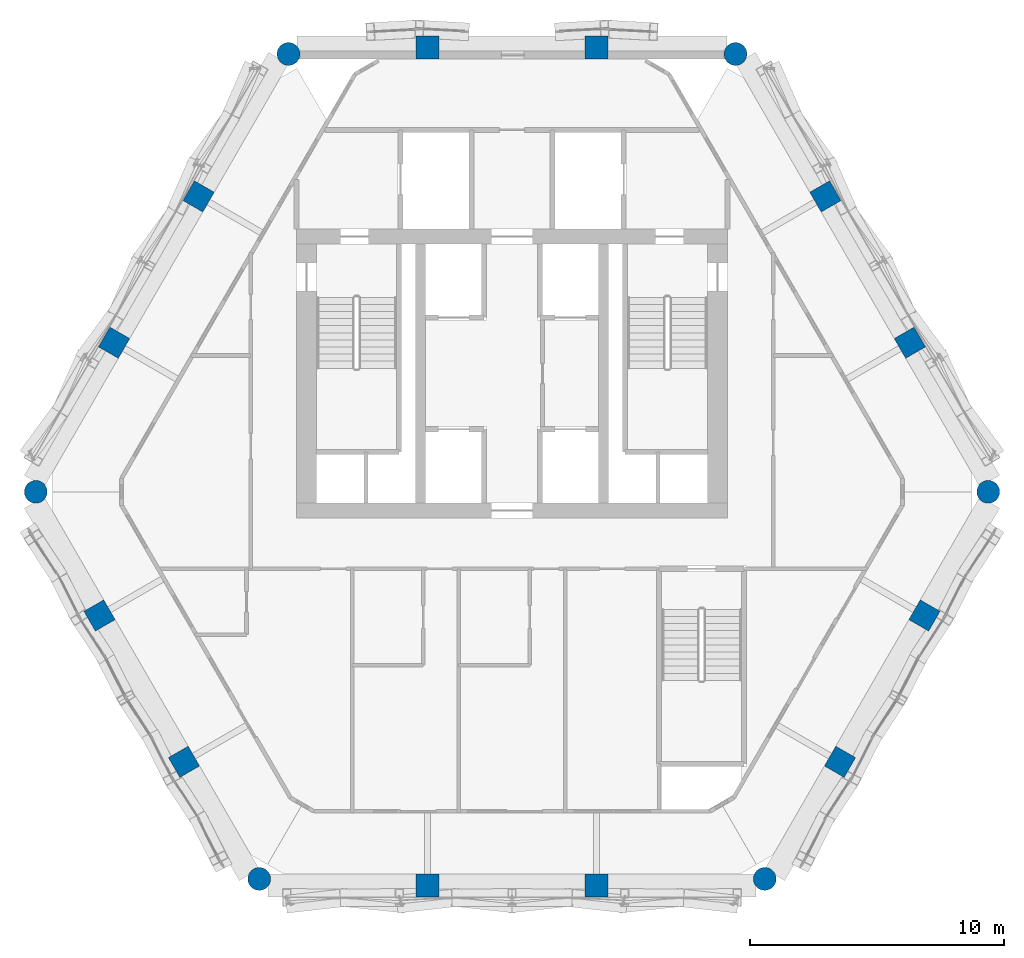
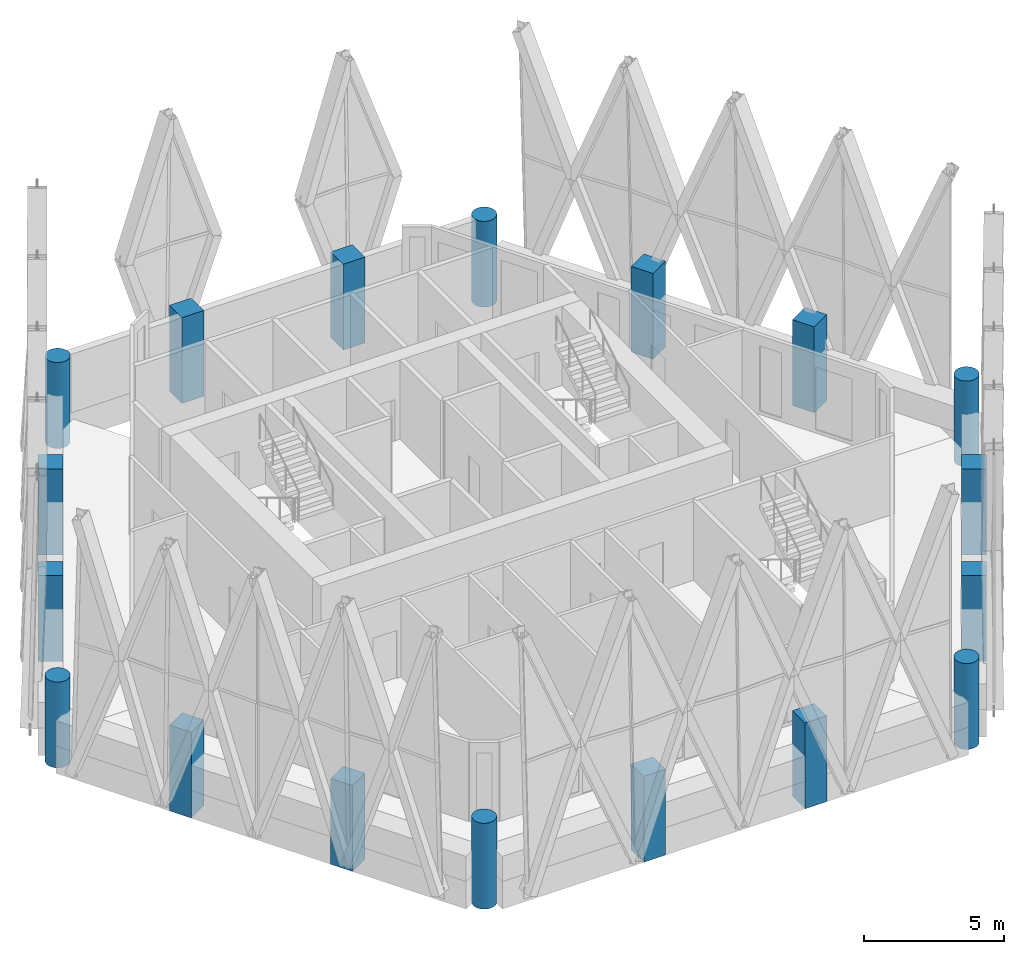
# One storey, part 1 of 22: 18 columns.
"""IFC4 building model written with IfcOpenShell, lengths in metres."""

from ifc_helpers import new_model, si_unit, direction, frame, origin, origin_2d, place, context, subcontext, project, spatial, rectangle, circle, extrude, material, material_profile, profile_set, type_object, element, save


model = new_model("IFC4")

# Units and contexts
model_context = context("Model", 3, precision=1e-05, world=origin(), true_north=direction((0.0, 1.0)))
body_context = subcontext(model_context, "Body", "Model", "MODEL_VIEW")
ifc_project = project(units=[si_unit("LENGTHUNIT", "METRE"), si_unit("AREAUNIT", "SQUARE_METRE"), si_unit("VOLUMEUNIT", "CUBIC_METRE"), si_unit("PLANEANGLEUNIT", "RADIAN"), si_unit("MASSUNIT", "GRAM", prefix="KILO")], contexts=[model_context])

# Site, building, storey
site_placement = place(None, origin())
site = spatial("IfcSite", under=ifc_project, at=site_placement, CompositionType="ELEMENT")
building_placement = place(site_placement, origin())
building = spatial("IfcBuilding", under=site, at=building_placement, Name="Ostrander Bayou Hotel Tower", CompositionType="ELEMENT")
storey_placement = place(building_placement, frame((0.0, 0.0, 245.0)))
storey = spatial("IfcBuildingStorey", under=building, at=storey_placement, Name="L60", CompositionType="ELEMENT", Elevation=245.0)

# Columns
ifc_material_1 = material(Name="Concrete f'c 60 MPa", Category="concrete")
ifc_material_profile_1 = material_profile(ifc_material_1, circle(Radius=0.449951171875, at=origin_2d()))
ifc_profile_set_1 = profile_set([ifc_material_profile_1], Name="Concrete f'c 60 MPa")
column_type_1 = type_object("IfcColumnType", Name="C7 round column 900 mm f'c 60 MPa", PredefinedType="COLUMN", material=ifc_profile_set_1)
for number, where, z_axis, x_axis, name in (
    (1, (-8.80908203125, 16.588623046875, -1.199951171875), (0.0, 0.0, 1.0), (1.0, 0.0, 0.0), "C7 L60 K0"),
    (2, (-18.770751953125, -0.66552734375, -1.199951171875), (0.0, 0.0, 1.0), (1.0, 0.0, 0.0), "C7 L60 K1"),
    (3, (-9.9619140625, -15.923095703125, -1.199951171875), (0.0, 0.0, 1.0), (1.0, 0.0, 0.0), "C7 L60 K2"),
    (4, (9.9619140625, -15.923095703125, -1.199951171875), (0.0, 0.0, 1.0), (1.0, 0.0, 0.0), "C7 L60 K3"),
    (5, (18.770751953125, -0.66552734375, -1.199951171875), (0.0, 0.0, 1.0), (1.0, 0.0, 0.0), "C7 L60 K4"),
    (6, (8.80908203125, 16.588623046875, -1.199951171875), (0.0, 0.0, 1.0), (1.0, 0.0, 0.0), "C7 L60 K5"),
):
    element("IfcColumn", number, at=place(storey_placement, frame(where, z_axis=z_axis, x_axis=x_axis)), inside=storey, type_object=column_type_1, Name=name, PredefinedType="COLUMN", context=body_context, shape_type="SweptSolid", body=[
        extrude(circle(Radius=0.449951171875, at=origin_2d()), origin(), (0.0, 0.0, 1.0), 3.75),
    ])
ifc_material_2 = material(Name="Concrete f'c 60 MPa", Category="concrete")
ifc_material_profile_2 = material_profile(ifc_material_2, rectangle(XDim=0.89990234375, YDim=0.89990234375, at=origin_2d()))
ifc_profile_set_2 = profile_set([ifc_material_profile_2], Name="Concrete f'c 60 MPa")
column_type_2 = type_object("IfcColumnType", Name="C8 square column 900 x 900 mm f'c 60 MPa", PredefinedType="COLUMN", material=ifc_profile_set_2)
for number, where, z_axis, x_axis, name in (
    (7, (3.329345703125, 16.85009765625, -1.199951171875), (0.0, 0.0, 1.0), (1.0, 0.0, 0.0), "C8 L60 N1"),
    (8, (-3.329345703125, 16.85009765625, -1.199951171875), (0.0, 0.0, 1.0), (1.0, 0.0, 0.0), "C8 L60 N2"),
    (9, (-12.3515625, 10.9755859375, -1.199951171875), (0.0, 0.0, 1.0), (0.5, 0.866025403784, 0.0), "C8 L60 NW1"),
    (10, (-15.680908203125, 5.208984375, -1.199951171875), (0.0, 0.0, 1.0), (0.5, 0.866025403784, 0.0), "C8 L60 NW2"),
    (11, (-16.257080078125, -5.541748046875, -1.199951171875), (0.0, 0.0, 1.0), (-0.5, 0.866025403784, 0.0), "C8 L60 SW1"),
    (12, (-12.927734375, -11.308349609375, -1.199951171875), (0.0, 0.0, 1.0), (-0.5, 0.866025403784, 0.0), "C8 L60 SW2"),
    (13, (-3.329345703125, -16.1845703125, -1.199951171875), (0.0, 0.0, 1.0), (-1.0, 0.0, 0.0), "C8 L60 S1"),
    (14, (3.329345703125, -16.1845703125, -1.199951171875), (0.0, 0.0, 1.0), (-1.0, 0.0, 0.0), "C8 L60 S2"),
    (15, (12.927734375, -11.308349609375, -1.199951171875), (0.0, 0.0, 1.0), (-0.5, -0.866025403784, 0.0), "C8 L60 SE1"),
    (16, (16.257080078125, -5.541748046875, -1.199951171875), (0.0, 0.0, 1.0), (-0.5, -0.866025403784, 0.0), "C8 L60 SE2"),
    (17, (15.680908203125, 5.208984375, -1.199951171875), (0.0, 0.0, 1.0), (0.5, -0.866025403784, 0.0), "C8 L60 NE1"),
    (18, (12.3515625, 10.9755859375, -1.199951171875), (0.0, 0.0, 1.0), (0.5, -0.866025403784, 0.0), "C8 L60 NE2"),
):
    element("IfcColumn", number, at=place(storey_placement, frame(where, z_axis=z_axis, x_axis=x_axis)), inside=storey, type_object=column_type_2, Name=name, PredefinedType="COLUMN", context=body_context, shape_type="SweptSolid", body=[
        extrude(rectangle(XDim=0.89990234375, YDim=0.89990234375, at=origin_2d()), origin(), (0.0, 0.0, 1.0), 3.75),
    ])

save(model, "model.ifc")
